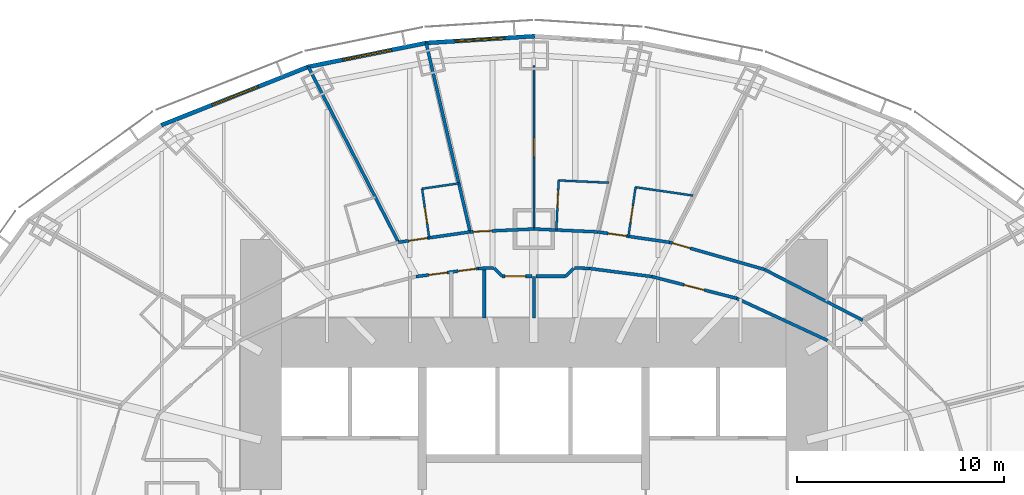
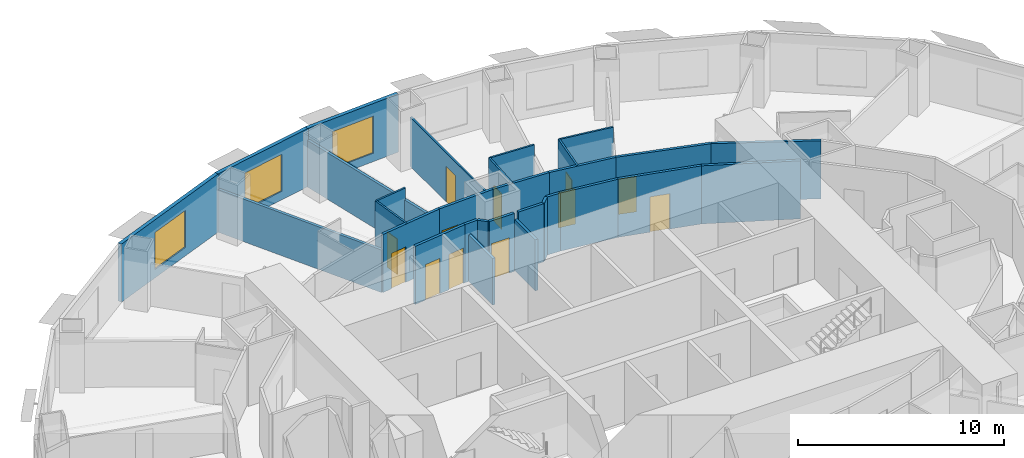
# One storey, part 9 of 15: 30 walls, 12 doors, 3 windows, 15 openings.
"""IFC4 building model written with IfcOpenShell, lengths in metres."""

from ifc_helpers import new_model, si_unit, direction, frame, frame_2d, origin, place, context, subcontext, project, spatial, rectangle, extrude, material, layer, layer_set, type_object, element, fill, save


model = new_model("IFC4")

# Units and contexts
model_context = context("Model", 3, precision=1e-05, world=origin(), true_north=direction((0.0, 1.0)))
body_context = subcontext(model_context, "Body", "Model", "MODEL_VIEW")
ifc_project = project(units=[si_unit("LENGTHUNIT", "METRE"), si_unit("AREAUNIT", "SQUARE_METRE"), si_unit("VOLUMEUNIT", "CUBIC_METRE"), si_unit("PLANEANGLEUNIT", "RADIAN"), si_unit("MASSUNIT", "GRAM", prefix="KILO")], contexts=[model_context])

# Site, building, storey
site_placement = place(None, origin())
site = spatial("IfcSite", under=ifc_project, at=site_placement, CompositionType="ELEMENT")
building_placement = place(site_placement, origin())
building = spatial("IfcBuilding", under=site, at=building_placement, Name="Lantaw Convention Tower", CompositionType="ELEMENT")
storey_placement = place(building_placement, frame((0.0, 0.0, 55.0)))
storey = spatial("IfcBuildingStorey", under=building, at=storey_placement, Name="L11", CompositionType="ELEMENT", Elevation=55.0)

# Wall
ifc_material_1 = material(Name="Gypsum board on steel studs", Category="steel")
ifc_layer_1 = layer(ifc_material_1, 0.14990234375)
ifc_layer_set_1 = layer_set([ifc_layer_1], Name="Back of house wall 150")
wall_type_1 = type_object("IfcWallType", Name="Back of house wall 150", PredefinedType="PARTITIONING", material=ifc_layer_set_1)
wall_1_placement = place(storey_placement, frame((0.0, 9.199951171875, 0.0), z_axis=(0.0, 0.0, 1.0), x_axis=(0.0, 1.0, 0.0)))
element("IfcWall", 1, at=wall_1_placement, inside=storey, type_object=wall_type_1, Name="Back of house wall 150", PredefinedType="PARTITIONING", context=body_context, shape_type="SweptSolid", body=[
    extrude(rectangle(XDim=2.005126953125, YDim=0.14990234375, at=frame_2d((1.00244140625, 0.0))), origin(), (0.0, 0.0, 1.0), 3.043701171875),
])

# Wall, opening, door
ifc_material_2 = material(Name="Moisture resistant gypsum board on steel studs", Category="steel")
ifc_layer_2 = layer(ifc_material_2, 0.10009765625)
ifc_layer_set_2 = layer_set([ifc_layer_2], Name="Bathroom wall 100")
wall_type_2 = type_object("IfcWallType", Name="Bathroom wall 100", PredefinedType="PARTITIONING", material=ifc_layer_set_2)
wall_2_placement = place(storey_placement, frame((4.572021484375, 13.144775390625, 0.0), z_axis=(0.0, 0.0, 1.0), x_axis=(0.143429072319, 0.989660599, 0.0)))
wall_2 = element("IfcWall", 2, at=wall_2_placement, inside=storey, type_object=wall_type_2, Name="Bathroom wall 100", PredefinedType="PARTITIONING", context=body_context, shape_type="SweptSolid", body=[
    extrude(rectangle(XDim=2.400146484375, YDim=0.10009765625, at=frame_2d((1.2001953125, 0.0))), origin(), (0.0, 0.0, 1.0), 3.449951171875),
])
opening_1_placement = place(wall_2_placement, frame((0.699951171875, 0.0, 0.0)))
opening_1 = element("IfcOpeningElement", 3, at=opening_1_placement, cuts=wall_2, Name="Opening L11.33", PredefinedType="OPENING", context=body_context, shape_type="SweptSolid", body=[
    extrude(rectangle(XDim=0.800048828125, YDim=2.10009765625, at=frame_2d((0.39990234375, 1.050048828125))), frame((0.0, 0.06005859375, 0.0), z_axis=(0.0, -1.0, 0.0), x_axis=(1.0, 0.0, 0.0)), (0.0, 0.0, 1.0), 0.1201171875),
])
ifc_material_3 = material(Name="Timber", Category="wood")
door_type_1 = type_object("IfcDoorType", Name="Bathroom door 800", OperationType="SINGLE_SWING_LEFT", PredefinedType="DOOR", material=ifc_material_3)
door_1_placement = place(opening_1_placement, origin())
door_1 = element("IfcDoor", 4, at=door_1_placement, inside=storey, type_object=door_type_1, Name="Bathroom door", OperationType="SINGLE_SWING_LEFT", OverallHeight=2.10009765625, OverallWidth=0.800048828125, PredefinedType="DOOR", context=body_context, shape_type="SweptSolid", body=[
    extrude(rectangle(XDim=0.800048828125, YDim=2.10009765625, at=frame_2d((0.39990234375, 1.050048828125))), frame((0.0, 0.02490234375, 0.0), z_axis=(0.0, -1.0, 0.0), x_axis=(1.0, 0.0, 0.0)), (0.0, 0.0, 1.0), 0.050048828125),
])
fill(opening_1, door_1)

# Wall
wall_3_placement = place(storey_placement, frame((4.916259765625, 15.52001953125, 0.0), z_axis=(0.0, 0.0, 1.0), x_axis=(0.989657744136, -0.143448769503, 0.0)))
element("IfcWall", 5, at=wall_3_placement, inside=storey, type_object=wall_type_2, Name="Bathroom wall 100", PredefinedType="PARTITIONING", context=body_context, shape_type="SweptSolid", body=[
    extrude(rectangle(XDim=2.81494140625, YDim=0.10009765625, at=frame_2d((1.407470703125, 0.0))), origin(), (0.0, 0.0, 1.0), 3.449951171875),
])

# Wall, opening, door
wall_4_placement = place(storey_placement, frame((1.08642578125, 13.450927734375, 0.0), z_axis=(0.0, 0.0, 1.0), x_axis=(0.045269225691, 0.998974823109, 0.0)))
wall_4 = element("IfcWall", 6, at=wall_4_placement, inside=storey, type_object=wall_type_2, Name="Bathroom wall 100", PredefinedType="PARTITIONING", context=body_context, shape_type="SweptSolid", body=[
    extrude(rectangle(XDim=2.39990234375, YDim=0.10009765625, at=frame_2d((1.199951171875, 0.0))), origin(), (0.0, 0.0, 1.0), 3.449951171875),
])
opening_2_placement = place(wall_4_placement, frame((1.10009765625, 0.0, 0.0)))
opening_2 = element("IfcOpeningElement", 7, at=opening_2_placement, cuts=wall_4, Name="Opening L11.35", PredefinedType="OPENING", context=body_context, shape_type="SweptSolid", body=[
    extrude(rectangle(XDim=0.800048828125, YDim=2.10009765625, at=frame_2d((0.39990234375, 1.050048828125))), frame((0.0, 0.06005859375, 0.0), z_axis=(0.0, -1.0, 0.0), x_axis=(1.0, 0.0, 0.0)), (0.0, 0.0, 1.0), 0.1201171875),
])
door_2_placement = place(opening_2_placement, origin())
door_2 = element("IfcDoor", 8, at=door_2_placement, inside=storey, type_object=door_type_1, Name="Bathroom door", OperationType="SINGLE_SWING_LEFT", OverallHeight=2.10009765625, OverallWidth=0.800048828125, PredefinedType="DOOR", context=body_context, shape_type="SweptSolid", body=[
    extrude(rectangle(XDim=0.800048828125, YDim=2.10009765625, at=frame_2d((0.39990234375, 1.050048828125))), frame((0.0, 0.02490234375, 0.0), z_axis=(0.0, -1.0, 0.0), x_axis=(1.0, 0.0, 0.0)), (0.0, 0.0, 1.0), 0.050048828125),
])
fill(opening_2, door_2)

# Wall
wall_5_placement = place(storey_placement, frame((1.195068359375, 15.848388671875, 0.0), z_axis=(0.0, 0.0, 1.0), x_axis=(0.998977389599, -0.045212554331, 0.0)))
element("IfcWall", 9, at=wall_5_placement, inside=storey, type_object=wall_type_2, Name="Bathroom wall 100", PredefinedType="PARTITIONING", context=body_context, shape_type="SweptSolid", body=[
    extrude(rectangle(XDim=2.440673828125, YDim=0.10009765625, at=frame_2d((1.22021484375, 0.0))), origin(), (0.0, 0.0, 1.0), 3.449951171875),
])

# Wall, opening, door
wall_6_placement = place(storey_placement, frame((-5.063720703125, 13.073486328125, 0.0), z_axis=(0.0, 0.0, 1.0), x_axis=(-0.143429072319, 0.989660599, 0.0)))
wall_6 = element("IfcWall", 10, at=wall_6_placement, inside=storey, type_object=wall_type_2, Name="Bathroom wall 100", PredefinedType="PARTITIONING", context=body_context, shape_type="SweptSolid", body=[
    extrude(rectangle(XDim=2.400146484375, YDim=0.10009765625, at=frame_2d((1.2001953125, 0.0))), origin(), (0.0, 0.0, 1.0), 3.449951171875),
])
opening_3_placement = place(wall_6_placement, frame((0.699951171875, 0.0, 0.0)))
opening_3 = element("IfcOpeningElement", 11, at=opening_3_placement, cuts=wall_6, Name="Opening L11.38", PredefinedType="OPENING", context=body_context, shape_type="SweptSolid", body=[
    extrude(rectangle(XDim=0.800048828125, YDim=2.10009765625, at=frame_2d((0.39990234375, 1.050048828125))), frame((0.0, 0.06005859375, 0.0), z_axis=(0.0, -1.0, 0.0), x_axis=(1.0, 0.0, 0.0)), (0.0, 0.0, 1.0), 0.1201171875),
])
door_3_placement = place(opening_3_placement, origin())
door_3 = element("IfcDoor", 12, at=door_3_placement, inside=storey, type_object=door_type_1, Name="Bathroom door", OperationType="SINGLE_SWING_LEFT", OverallHeight=2.10009765625, OverallWidth=0.800048828125, PredefinedType="DOOR", context=body_context, shape_type="SweptSolid", body=[
    extrude(rectangle(XDim=0.800048828125, YDim=2.10009765625, at=frame_2d((0.39990234375, 1.050048828125))), frame((0.0, 0.02490234375, 0.0), z_axis=(0.0, -1.0, 0.0), x_axis=(1.0, 0.0, 0.0)), (0.0, 0.0, 1.0), 0.050048828125),
])
fill(opening_3, door_3)

# Walls
wall_7_placement = place(storey_placement, frame((-5.407958984375, 15.44873046875, 0.0), z_axis=(0.0, 0.0, 1.0), x_axis=(0.989654460802, 0.143471419502, 0.0)))
element("IfcWall", 13, at=wall_7_placement, inside=storey, type_object=wall_type_2, Name="Bathroom wall 100", PredefinedType="PARTITIONING", context=body_context, shape_type="SweptSolid", body=[
    extrude(rectangle(XDim=1.80029296875, YDim=0.10009765625, at=frame_2d((0.900146484375, 0.0))), origin(), (0.0, 0.0, 1.0), 3.449951171875),
])
ifc_material_4 = material(Name="Gypsum board on steel studs, fire rated", Category="steel")
ifc_layer_3 = layer(ifc_material_4, 0.14990234375)
ifc_layer_set_3 = layer_set([ifc_layer_3], Name="Corridor wall 150 EI 60")
wall_type_3 = type_object("IfcWallType", Name="Corridor wall 150 EI 60", PredefinedType="PARTITIONING", material=ifc_layer_set_3)
wall_8_placement = place(storey_placement, frame((15.901123046875, 9.08642578125, 0.0), z_axis=(0.0, 0.0, 1.0), x_axis=(-0.888333171507, 0.459199495209, 0.0)))
element("IfcWall", 14, at=wall_8_placement, inside=storey, type_object=wall_type_3, Name="Corridor wall 150", PredefinedType="PARTITIONING", context=body_context, shape_type="SweptSolid", body=[
    extrude(rectangle(XDim=5.351318359375, YDim=0.14990234375, at=frame_2d((2.67578125, 0.0))), origin(), (0.0, 0.0, 1.0), 3.449951171875),
])

# Wall, opening, door
wall_9_placement = place(storey_placement, frame((11.1474609375, 11.543701171875, 0.0), z_axis=(0.0, 0.0, 1.0), x_axis=(-0.961464178199, 0.27493023486, 0.0)))
wall_9 = element("IfcWall", 15, at=wall_9_placement, inside=storey, type_object=wall_type_3, Name="Corridor wall 150", PredefinedType="PARTITIONING", context=body_context, shape_type="SweptSolid", body=[
    extrude(rectangle(XDim=4.7802734375, YDim=0.14990234375, at=frame_2d((2.39013671875, 0.0))), origin(), (0.0, 0.0, 1.0), 3.449951171875),
])
opening_4_placement = place(wall_9_placement, frame((3.730224609375, 0.0, 0.0)))
opening_4 = element("IfcOpeningElement", 16, at=opening_4_placement, cuts=wall_9, Name="Opening L11.32", PredefinedType="OPENING", context=body_context, shape_type="SweptSolid", body=[
    extrude(rectangle(XDim=0.89990234375, YDim=2.10009765625, at=frame_2d((0.449951171875, 1.050048828125))), frame((0.0, 0.0849609375, 0.0), z_axis=(0.0, -1.0, 0.0), x_axis=(1.0, 0.0, 0.0)), (0.0, 0.0, 1.0), 0.169921875),
])
ifc_material_5 = material(Name="Steel, fire rated", Category="steel")
door_type_2 = type_object("IfcDoorType", Name="Guest room entrance door FD30S", OperationType="SINGLE_SWING_LEFT", PredefinedType="DOOR", material=ifc_material_5)
door_4_placement = place(opening_4_placement, origin())
door_4 = element("IfcDoor", 17, at=door_4_placement, inside=storey, type_object=door_type_2, Name="Suite entrance door", OperationType="SINGLE_SWING_LEFT", OverallHeight=2.10009765625, OverallWidth=0.89990234375, PredefinedType="DOOR", context=body_context, shape_type="SweptSolid", body=[
    extrude(rectangle(XDim=0.89990234375, YDim=2.10009765625, at=frame_2d((0.449951171875, 1.050048828125))), frame((0.0, 0.02490234375, 0.0), z_axis=(0.0, -1.0, 0.0), x_axis=(1.0, 0.0, 0.0)), (0.0, 0.0, 1.0), 0.050048828125),
])
fill(opening_4, door_4)

wall_10_placement = place(storey_placement, frame((6.551513671875, 12.85791015625, 0.0), z_axis=(0.0, 0.0, 1.0), x_axis=(-0.989661745886, 0.143421158583, 0.0)))
wall_10 = element("IfcWall", 18, at=wall_10_placement, inside=storey, type_object=wall_type_3, Name="Corridor wall 150", PredefinedType="PARTITIONING", context=body_context, shape_type="SweptSolid", body=[
    extrude(rectangle(XDim=3.503173828125, YDim=0.14990234375, at=frame_2d((1.75146484375, 0.0))), origin(), (0.0, 0.0, 1.0), 3.449951171875),
])
opening_5_placement = place(wall_10_placement, frame((2.10009765625, 0.0, 0.0)))
opening_5 = element("IfcOpeningElement", 19, at=opening_5_placement, cuts=wall_10, Name="Opening L11.34", PredefinedType="OPENING", context=body_context, shape_type="SweptSolid", body=[
    extrude(rectangle(XDim=0.89990234375, YDim=2.10009765625, at=frame_2d((0.449951171875, 1.050048828125))), frame((0.0, 0.0849609375, 0.0), z_axis=(0.0, -1.0, 0.0), x_axis=(1.0, 0.0, 0.0)), (0.0, 0.0, 1.0), 0.169921875),
])
door_5_placement = place(opening_5_placement, origin())
door_5 = element("IfcDoor", 20, at=door_5_placement, inside=storey, type_object=door_type_2, Name="Guest room entrance door", OperationType="SINGLE_SWING_LEFT", OverallHeight=2.10009765625, OverallWidth=0.89990234375, PredefinedType="DOOR", context=body_context, shape_type="SweptSolid", body=[
    extrude(rectangle(XDim=0.89990234375, YDim=2.10009765625, at=frame_2d((0.449951171875, 1.050048828125))), frame((0.0, 0.02490234375, 0.0), z_axis=(0.0, -1.0, 0.0), x_axis=(1.0, 0.0, 0.0)), (0.0, 0.0, 1.0), 0.050048828125),
])
fill(opening_5, door_5)

# Wall
wall_11_placement = place(storey_placement, frame((3.08447265625, 13.3603515625, 0.0), z_axis=(0.0, 0.0, 1.0), x_axis=(-0.998976675711, 0.045228325036, 0.0)))
element("IfcWall", 21, at=wall_11_placement, inside=storey, type_object=wall_type_3, Name="Corridor wall 150", PredefinedType="PARTITIONING", context=body_context, shape_type="SweptSolid", body=[
    extrude(rectangle(XDim=3.087646484375, YDim=0.14990234375, at=frame_2d((1.5439453125, 0.0))), origin(), (0.0, 0.0, 1.0), 3.449951171875),
])

# Wall, opening, door
wall_12_placement = place(storey_placement, frame((0.0, 13.5, 0.0), z_axis=(0.0, 0.0, 1.0), x_axis=(-0.998976675711, -0.045228325036, 0.0)))
wall_12 = element("IfcWall", 22, at=wall_12_placement, inside=storey, type_object=wall_type_3, Name="Corridor wall 150", PredefinedType="PARTITIONING", context=body_context, shape_type="SweptSolid", body=[
    extrude(rectangle(XDim=3.087646484375, YDim=0.14990234375, at=frame_2d((1.5439453125, 0.0))), origin(), (0.0, 0.0, 1.0), 3.449951171875),
])
opening_6_placement = place(wall_12_placement, frame((2.03759765625, 0.0, 0.0)))
opening_6 = element("IfcOpeningElement", 23, at=opening_6_placement, cuts=wall_12, Name="Opening L11.37", PredefinedType="OPENING", context=body_context, shape_type="SweptSolid", body=[
    extrude(rectangle(XDim=0.89990234375, YDim=2.10009765625, at=frame_2d((0.449951171875, 1.050048828125))), frame((0.0, 0.0849609375, 0.0), z_axis=(0.0, -1.0, 0.0), x_axis=(1.0, 0.0, 0.0)), (0.0, 0.0, 1.0), 0.169921875),
])
door_6_placement = place(opening_6_placement, origin())
door_6 = element("IfcDoor", 24, at=door_6_placement, inside=storey, type_object=door_type_2, Name="Suite entrance door", OperationType="SINGLE_SWING_LEFT", OverallHeight=2.10009765625, OverallWidth=0.89990234375, PredefinedType="DOOR", context=body_context, shape_type="SweptSolid", body=[
    extrude(rectangle(XDim=0.89990234375, YDim=2.10009765625, at=frame_2d((0.449951171875, 1.050048828125))), frame((0.0, 0.02490234375, 0.0), z_axis=(0.0, -1.0, 0.0), x_axis=(1.0, 0.0, 0.0)), (0.0, 0.0, 1.0), 0.050048828125),
])
fill(opening_6, door_6)

wall_13_placement = place(storey_placement, frame((-3.08447265625, 13.3603515625, 0.0), z_axis=(0.0, 0.0, 1.0), x_axis=(-0.989661745886, -0.143421158583, 0.0)))
wall_13 = element("IfcWall", 25, at=wall_13_placement, inside=storey, type_object=wall_type_3, Name="Corridor wall 150", PredefinedType="PARTITIONING", context=body_context, shape_type="SweptSolid", body=[
    extrude(rectangle(XDim=3.503173828125, YDim=0.14990234375, at=frame_2d((1.75146484375, 0.0))), origin(), (0.0, 0.0, 1.0), 3.449951171875),
])
opening_7_placement = place(wall_13_placement, frame((2.10009765625, 0.0, 0.0)))
opening_7 = element("IfcOpeningElement", 26, at=opening_7_placement, cuts=wall_13, Name="Opening L11.39", PredefinedType="OPENING", context=body_context, shape_type="SweptSolid", body=[
    extrude(rectangle(XDim=0.89990234375, YDim=2.10009765625, at=frame_2d((0.449951171875, 1.050048828125))), frame((0.0, 0.0849609375, 0.0), z_axis=(0.0, -1.0, 0.0), x_axis=(1.0, 0.0, 0.0)), (0.0, 0.0, 1.0), 0.169921875),
])
door_7_placement = place(opening_7_placement, origin())
door_7 = element("IfcDoor", 27, at=door_7_placement, inside=storey, type_object=door_type_2, Name="Guest room entrance door", OperationType="SINGLE_SWING_LEFT", OverallHeight=2.10009765625, OverallWidth=0.89990234375, PredefinedType="DOOR", context=body_context, shape_type="SweptSolid", body=[
    extrude(rectangle(XDim=0.89990234375, YDim=2.10009765625, at=frame_2d((0.449951171875, 1.050048828125))), frame((0.0, 0.02490234375, 0.0), z_axis=(0.0, -1.0, 0.0), x_axis=(1.0, 0.0, 0.0)), (0.0, 0.0, 1.0), 0.050048828125),
])
fill(opening_7, door_7)

# Wall
wall_14_placement = place(storey_placement, frame((14.196044921875, 8.112060546875, 0.0), z_axis=(0.0, 0.0, 1.0), x_axis=(-0.907279653965, 0.420527798727, 0.0)))
element("IfcWall", 28, at=wall_14_placement, inside=storey, type_object=wall_type_3, Name="Corridor wall 150", PredefinedType="PARTITIONING", context=body_context, shape_type="SweptSolid", body=[
    extrude(rectangle(XDim=4.84423828125, YDim=0.14990234375, at=frame_2d((2.422119140625, 0.0))), origin(), (0.0, 0.0, 1.0), 3.449951171875),
])

# Wall, opening, door
wall_15_placement = place(storey_placement, frame((9.801025390625, 10.149169921875, 0.0), z_axis=(0.0, 0.0, 1.0), x_axis=(-0.968705891355, 0.248211393886, 0.0)))
wall_15 = element("IfcWall", 29, at=wall_15_placement, inside=storey, type_object=wall_type_3, Name="Corridor wall 150", PredefinedType="PARTITIONING", context=body_context, shape_type="SweptSolid", body=[
    extrude(rectangle(XDim=4.2275390625, YDim=0.14990234375, at=frame_2d((2.11376953125, 0.0))), origin(), (0.0, 0.0, 1.0), 3.449951171875),
])
opening_8_placement = place(wall_15_placement, frame((1.61376953125, 0.0, 0.0)))
opening_8 = element("IfcOpeningElement", 30, at=opening_8_placement, cuts=wall_15, Name="Opening L11.17", PredefinedType="OPENING", context=body_context, shape_type="SweptSolid", body=[
    extrude(rectangle(XDim=1.0, YDim=2.10009765625, at=frame_2d((0.5, 1.050048828125))), frame((0.0, 0.0849609375, 0.0), z_axis=(0.0, -1.0, 0.0), x_axis=(1.0, 0.0, 0.0)), (0.0, 0.0, 1.0), 0.169921875),
])
door_type_3 = type_object("IfcDoorType", Name="Service door 1000 FD30", OperationType="SINGLE_SWING_LEFT", PredefinedType="DOOR", material=ifc_material_5)
door_8_placement = place(opening_8_placement, origin())
door_8 = element("IfcDoor", 31, at=door_8_placement, inside=storey, type_object=door_type_3, Name="Linen store door", OperationType="SINGLE_SWING_LEFT", OverallHeight=2.10009765625, OverallWidth=1.0, PredefinedType="DOOR", context=body_context, shape_type="SweptSolid", body=[
    extrude(rectangle(XDim=1.0, YDim=2.10009765625, at=frame_2d((0.5, 1.050048828125))), frame((0.0, 0.02490234375, 0.0), z_axis=(0.0, -1.0, 0.0), x_axis=(1.0, 0.0, 0.0)), (0.0, 0.0, 1.0), 0.050048828125),
])
fill(opening_8, door_8)

# Wall
wall_16_placement = place(storey_placement, frame((5.705810546875, 11.198486328125, 0.0), z_axis=(0.0, 0.0, 1.0), x_axis=(-0.99168929531, 0.128655903743, 0.0)))
element("IfcWall", 32, at=wall_16_placement, inside=storey, type_object=wall_type_3, Name="Corridor wall 150", PredefinedType="PARTITIONING", context=body_context, shape_type="SweptSolid", body=[
    extrude(rectangle(XDim=3.05517578125, YDim=0.14990234375, at=frame_2d((1.527587890625, 0.0))), origin(), (0.0, 0.0, 1.0), 3.449951171875),
])

# Wall, openings, doors
wall_17_placement = place(storey_placement, frame((-2.676025390625, 11.591552734375, 0.0), z_axis=(0.0, 0.0, 1.0), x_axis=(-0.99168929531, -0.128655903743, 0.0)))
wall_17 = element("IfcWall", 33, at=wall_17_placement, inside=storey, type_object=wall_type_3, Name="Corridor wall 150", PredefinedType="PARTITIONING", context=body_context, shape_type="SweptSolid", body=[
    extrude(rectangle(XDim=3.05517578125, YDim=0.14990234375, at=frame_2d((1.527587890625, 0.0))), origin(), (0.0, 0.0, 1.0), 3.449951171875),
])
opening_9_placement = place(wall_17_placement, frame((0.10009765625, 0.0, 0.0)))
opening_9 = element("IfcOpeningElement", 34, at=opening_9_placement, cuts=wall_17, Name="Opening L11.20", PredefinedType="OPENING", context=body_context, shape_type="SweptSolid", body=[
    extrude(rectangle(XDim=0.89990234375, YDim=2.10009765625, at=frame_2d((0.449951171875, 1.050048828125))), frame((0.0, 0.0849609375, 0.0), z_axis=(0.0, -1.0, 0.0), x_axis=(1.0, 0.0, 0.0)), (0.0, 0.0, 1.0), 0.169921875),
])
opening_10_placement = place(wall_17_placement, frame((1.535888671875, 0.0, 0.0)))
opening_10 = element("IfcOpeningElement", 35, at=opening_10_placement, cuts=wall_17, Name="Opening L11.21", PredefinedType="OPENING", context=body_context, shape_type="SweptSolid", body=[
    extrude(rectangle(XDim=0.89990234375, YDim=2.10009765625, at=frame_2d((0.449951171875, 1.050048828125))), frame((0.0, 0.0849609375, 0.0), z_axis=(0.0, -1.0, 0.0), x_axis=(1.0, 0.0, 0.0)), (0.0, 0.0, 1.0), 0.169921875),
])
door_type_4 = type_object("IfcDoorType", Name="Service door 900 FD30", OperationType="SINGLE_SWING_LEFT", PredefinedType="DOOR", material=ifc_material_5)
door_9_placement = place(opening_10_placement, origin())
door_9 = element("IfcDoor", 36, at=door_9_placement, inside=storey, type_object=door_type_4, Name="Housekeeping pantry door", OperationType="SINGLE_SWING_LEFT", OverallHeight=2.10009765625, OverallWidth=0.89990234375, PredefinedType="DOOR", context=body_context, shape_type="SweptSolid", body=[
    extrude(rectangle(XDim=0.89990234375, YDim=2.10009765625, at=frame_2d((0.449951171875, 1.050048828125))), frame((0.0, 0.02490234375, 0.0), z_axis=(0.0, -1.0, 0.0), x_axis=(1.0, 0.0, 0.0)), (0.0, 0.0, 1.0), 0.050048828125),
])
fill(opening_10, door_9)
door_type_5 = type_object("IfcDoorType", Name="WC door 900 FD30", OperationType="SINGLE_SWING_LEFT", PredefinedType="DOOR", material=ifc_material_5)
door_10_placement = place(opening_9_placement, origin())
door_10 = element("IfcDoor", 37, at=door_10_placement, inside=storey, type_object=door_type_5, Name="Staff WC door", OperationType="SINGLE_SWING_LEFT", OverallHeight=2.10009765625, OverallWidth=0.89990234375, PredefinedType="DOOR", context=body_context, shape_type="SweptSolid", body=[
    extrude(rectangle(XDim=0.89990234375, YDim=2.10009765625, at=frame_2d((0.449951171875, 1.050048828125))), frame((0.0, 0.02490234375, 0.0), z_axis=(0.0, -1.0, 0.0), x_axis=(1.0, 0.0, 0.0)), (0.0, 0.0, 1.0), 0.050048828125),
])
fill(opening_9, door_10)

# Walls
for number, where, z_axis, x_axis, name in (
    (38, (2.676025390625, 11.591552734375, 0.0), (0.0, 0.0, 1.0), (-0.999181454908, 0.040452690482, 0.0), "Corridor wall 150"),
    (39, (-1.952392578125, 11.620849609375, 0.0), (0.0, 0.0, 1.0), (-0.999181454908, -0.040452690482, 0.0), "Corridor wall 150"),
):
    element("IfcWall", number, at=place(storey_placement, frame(where, z_axis=z_axis, x_axis=x_axis)), inside=storey, type_object=wall_type_3, Name=name, PredefinedType="PARTITIONING", context=body_context, shape_type="SweptSolid", body=[
        extrude(rectangle(XDim=0.72412109375, YDim=0.14990234375, at=frame_2d((0.362060546875, 0.0))), origin(), (0.0, 0.0, 1.0), 3.449951171875),
    ])
wall_18_placement = place(storey_placement, frame((1.921630859375, 11.604248046875, 0.0), z_axis=(0.0, 0.0, 1.0), x_axis=(-0.707328479487, -0.706885013356, 0.0)))
element("IfcWall", 40, at=wall_18_placement, inside=storey, type_object=wall_type_3, Name="Corridor wall 150", PredefinedType="PARTITIONING", context=body_context, shape_type="SweptSolid", body=[
    extrude(rectangle(XDim=0.550537109375, YDim=0.14990234375, at=frame_2d((0.275390625, 0.0))), origin(), (0.0, 0.0, 1.0), 3.449951171875),
])
wall_19_placement = place(storey_placement, frame((1.5322265625, 11.215087890625, 0.0), z_axis=(0.0, 0.0, 1.0), x_axis=(-1.0, 0.0, 0.0)))
element("IfcWall", 41, at=wall_19_placement, inside=storey, type_object=wall_type_3, Name="Corridor wall 150", PredefinedType="PARTITIONING", context=body_context, shape_type="SweptSolid", body=[
    extrude(rectangle(XDim=1.428955078125, YDim=0.14990234375, at=frame_2d((0.71435546875, 0.0))), origin(), (0.0, 0.0, 1.0), 3.449951171875),
])

# Wall, opening, door
wall_20_placement = place(storey_placement, frame((-0.103271484375, 11.215087890625, 0.0), z_axis=(0.0, 0.0, 1.0), x_axis=(-1.0, 0.0, 0.0)))
wall_20 = element("IfcWall", 42, at=wall_20_placement, inside=storey, type_object=wall_type_3, Name="Corridor wall 150", PredefinedType="PARTITIONING", context=body_context, shape_type="SweptSolid", body=[
    extrude(rectangle(XDim=1.428955078125, YDim=0.14990234375, at=frame_2d((0.71435546875, 0.0))), origin(), (0.0, 0.0, 1.0), 3.449951171875),
])
opening_11_placement = place(wall_20_placement, frame((0.300048828125, 0.0, 0.0)))
opening_11 = element("IfcOpeningElement", 43, at=opening_11_placement, cuts=wall_20, Name="Opening L11.19", PredefinedType="OPENING", context=body_context, shape_type="SweptSolid", body=[
    extrude(rectangle(XDim=1.0, YDim=2.10009765625, at=frame_2d((0.5, 1.050048828125))), frame((0.0, 0.0849609375, 0.0), z_axis=(0.0, -1.0, 0.0), x_axis=(1.0, 0.0, 0.0)), (0.0, 0.0, 1.0), 0.169921875),
])
door_type_6 = type_object("IfcDoorType", Name="Accessible WC door 1000 FD30", OperationType="SINGLE_SWING_LEFT", PredefinedType="DOOR", material=ifc_material_5)
door_11_placement = place(opening_11_placement, origin())
door_11 = element("IfcDoor", 44, at=door_11_placement, inside=storey, type_object=door_type_6, Name="Accessible WC door", OperationType="SINGLE_SWING_LEFT", OverallHeight=2.10009765625, OverallWidth=1.0, PredefinedType="DOOR", context=body_context, shape_type="SweptSolid", body=[
    extrude(rectangle(XDim=1.0, YDim=2.10009765625, at=frame_2d((0.5, 1.050048828125))), frame((0.0, 0.02490234375, 0.0), z_axis=(0.0, -1.0, 0.0), x_axis=(1.0, 0.0, 0.0)), (0.0, 0.0, 1.0), 0.050048828125),
])
fill(opening_11, door_11)

# Wall
wall_21_placement = place(storey_placement, frame((-1.5322265625, 11.215087890625, 0.0), z_axis=(0.0, 0.0, 1.0), x_axis=(-0.707328479487, 0.706885013356, 0.0)))
element("IfcWall", 45, at=wall_21_placement, inside=storey, type_object=wall_type_3, Name="Corridor wall 150", PredefinedType="PARTITIONING", context=body_context, shape_type="SweptSolid", body=[
    extrude(rectangle(XDim=0.550537109375, YDim=0.14990234375, at=frame_2d((0.275390625, 0.0))), origin(), (0.0, 0.0, 1.0), 3.449951171875),
])

# Wall, opening, window
ifc_material_6 = material(Name="Insulated aluminium panel on steel frame", Category="steel")
ifc_layer_4 = layer(ifc_material_6, 0.199951171875)
ifc_layer_set_4 = layer_set([ifc_layer_4], Name="External wall 200")
wall_type_4 = type_object("IfcWallType", Name="External wall 200", PredefinedType="SOLIDWALL", material=ifc_layer_set_4)
wall_22_placement = place(storey_placement, frame((0.041015625, 22.8271484375, 0.0), z_axis=(0.0, 0.0, 1.0), x_axis=(-0.998018582375, -0.062919863585, 0.0)))
wall_22 = element("IfcWall", 46, at=wall_22_placement, inside=storey, type_object=wall_type_4, Name="Facade panel wall", PredefinedType="SOLIDWALL", context=body_context, shape_type="SweptSolid", body=[
    extrude(rectangle(XDim=5.30419921875, YDim=0.199951171875, at=frame_2d((2.652099609375, 0.0))), origin(), (0.0, 0.0, 1.0), 3.449951171875),
])
opening_12_placement = place(wall_22_placement, frame((1.4521484375, 0.0, 0.5)))
opening_12 = element("IfcOpeningElement", 47, at=opening_12_placement, cuts=wall_22, Name="Opening W1", PredefinedType="OPENING", context=body_context, shape_type="SweptSolid", body=[
    extrude(rectangle(XDim=2.39990234375, YDim=2.199951171875, at=frame_2d((1.199951171875, 1.10009765625))), frame((0.0, 0.10986328125, 0.0), z_axis=(0.0, -1.0, 0.0), x_axis=(1.0, 0.0, 0.0)), (0.0, 0.0, 1.0), 0.219970703125),
])
ifc_material_7 = material(Name="Aluminium frame, clear insulating glass", Category="aluminium")
window_type = type_object("IfcWindowType", Name="Guest room window 2400x2200", PartitioningType="SINGLE_PANEL", PredefinedType="WINDOW", material=ifc_material_7)
window_1_placement = place(opening_12_placement, origin())
window_1 = element("IfcWindow", 48, at=window_1_placement, inside=storey, type_object=window_type, Name="Guest room window", OverallHeight=2.199951171875, OverallWidth=2.39990234375, PartitioningType="SINGLE_PANEL", PredefinedType="WINDOW", context=body_context, shape_type="SweptSolid", body=[
    extrude(rectangle(XDim=2.39990234375, YDim=2.199951171875, at=frame_2d((1.199951171875, 1.10009765625))), frame((0.0, 0.030029296875, 0.0), z_axis=(0.0, -1.0, 0.0), x_axis=(1.0, 0.0, 0.0)), (0.0, 0.0, 1.0), 0.06005859375),
])
fill(opening_12, window_1)

wall_23_placement = place(storey_placement, frame((-5.169677734375, 22.504150390625, 0.0), z_axis=(0.0, 0.0, 1.0), x_axis=(-0.980251657452, -0.197754110105, 0.0)))
wall_23 = element("IfcWall", 49, at=wall_23_placement, inside=storey, type_object=wall_type_4, Name="Facade panel wall", PredefinedType="SOLIDWALL", context=body_context, shape_type="SweptSolid", body=[
    extrude(rectangle(XDim=5.90380859375, YDim=0.199951171875, at=frame_2d((2.951904296875, 0.0))), origin(), (0.0, 0.0, 1.0), 3.449951171875),
])
opening_13_placement = place(wall_23_placement, frame((1.751708984375, 0.0, 0.5)))
opening_13 = element("IfcOpeningElement", 50, at=opening_13_placement, cuts=wall_23, Name="Opening W1", PredefinedType="OPENING", context=body_context, shape_type="SweptSolid", body=[
    extrude(rectangle(XDim=2.39990234375, YDim=2.199951171875, at=frame_2d((1.199951171875, 1.10009765625))), frame((0.0, 0.10986328125, 0.0), z_axis=(0.0, -1.0, 0.0), x_axis=(1.0, 0.0, 0.0)), (0.0, 0.0, 1.0), 0.219970703125),
])
window_2_placement = place(opening_13_placement, origin())
window_2 = element("IfcWindow", 51, at=window_2_placement, inside=storey, type_object=window_type, Name="Guest room window", OverallHeight=2.199951171875, OverallWidth=2.39990234375, PartitioningType="SINGLE_PANEL", PredefinedType="WINDOW", context=body_context, shape_type="SweptSolid", body=[
    extrude(rectangle(XDim=2.39990234375, YDim=2.199951171875, at=frame_2d((1.199951171875, 1.10009765625))), frame((0.0, 0.030029296875, 0.0), z_axis=(0.0, -1.0, 0.0), x_axis=(1.0, 0.0, 0.0)), (0.0, 0.0, 1.0), 0.06005859375),
])
fill(opening_13, window_2)

wall_24_placement = place(storey_placement, frame((-10.869384765625, 21.362548828125, 0.0), z_axis=(0.0, 0.0, 1.0), x_axis=(-0.929358351251, -0.369178892895, 0.0)))
wall_24 = element("IfcWall", 52, at=wall_24_placement, inside=storey, type_object=wall_type_4, Name="Facade panel wall", PredefinedType="SOLIDWALL", context=body_context, shape_type="SweptSolid", body=[
    extrude(rectangle(XDim=7.6923828125, YDim=0.199951171875, at=frame_2d((3.84619140625, 0.0))), origin(), (0.0, 0.0, 1.0), 3.449951171875),
])
opening_14_placement = place(wall_24_placement, frame((2.64599609375, 0.0, 0.5)))
opening_14 = element("IfcOpeningElement", 53, at=opening_14_placement, cuts=wall_24, Name="Opening W1", PredefinedType="OPENING", context=body_context, shape_type="SweptSolid", body=[
    extrude(rectangle(XDim=2.39990234375, YDim=2.199951171875, at=frame_2d((1.199951171875, 1.10009765625))), frame((0.0, 0.10986328125, 0.0), z_axis=(0.0, -1.0, 0.0), x_axis=(1.0, 0.0, 0.0)), (0.0, 0.0, 1.0), 0.219970703125),
])
window_3_placement = place(opening_14_placement, origin())
window_3 = element("IfcWindow", 54, at=window_3_placement, inside=storey, type_object=window_type, Name="Guest room window", OverallHeight=2.199951171875, OverallWidth=2.39990234375, PartitioningType="SINGLE_PANEL", PredefinedType="WINDOW", context=body_context, shape_type="SweptSolid", body=[
    extrude(rectangle(XDim=2.39990234375, YDim=2.199951171875, at=frame_2d((1.199951171875, 1.10009765625))), frame((0.0, 0.030029296875, 0.0), z_axis=(0.0, -1.0, 0.0), x_axis=(1.0, 0.0, 0.0)), (0.0, 0.0, 1.0), 0.06005859375),
])
fill(opening_14, window_3)

# Walls
ifc_material_8 = material(Name="Gypsum board on steel studs, acoustic", Category="steel")
ifc_layer_5 = layer(ifc_material_8, 0.14990234375)
ifc_layer_set_5 = layer_set([ifc_layer_5], Name="Guest room party wall 150")
wall_type_5 = type_object("IfcWallType", Name="Guest room party wall 150", PredefinedType="PARTITIONING", material=ifc_layer_set_5)
wall_25_placement = place(storey_placement, frame((-5.2109375, 22.495849609375, 0.0), z_axis=(0.0, 0.0, 1.0), x_axis=(0.226708737679, -0.973962601058, 0.0)))
element("IfcWall", 55, at=wall_25_placement, inside=storey, type_object=wall_type_5, Name="Guest room party wall 150", PredefinedType="PARTITIONING", context=body_context, shape_type="SweptSolid", body=[
    extrude(rectangle(XDim=9.379638671875, YDim=0.14990234375, at=frame_2d((4.68994140625, 0.0))), origin(), (0.0, 0.0, 1.0), 2.766845703125),
])
wall_26_placement = place(storey_placement, frame((-10.911865234375, 21.345703125, 0.0), z_axis=(0.0, 0.0, 1.0), x_axis=(0.456950233066, -0.889492262193, 0.0)))
element("IfcWall", 56, at=wall_26_placement, inside=storey, type_object=wall_type_5, Name="Guest room party wall 150", PredefinedType="PARTITIONING", context=body_context, shape_type="SweptSolid", body=[
    extrude(rectangle(XDim=9.542236328125, YDim=0.14990234375, at=frame_2d((4.77099609375, 0.0))), origin(), (0.0, 0.0, 1.0), 2.528076171875),
])

# Wall, opening, door
ifc_layer_6 = layer(ifc_material_1, 0.10009765625)
ifc_layer_set_6 = layer_set([ifc_layer_6], Name="Suite partition 100")
wall_type_6 = type_object("IfcWallType", Name="Suite partition 100", PredefinedType="PARTITIONING", material=ifc_layer_set_6)
wall_27_placement = place(storey_placement, frame((0.0, 21.39990234375, 0.0), z_axis=(0.0, 0.0, 1.0), x_axis=(0.0, -1.0, 0.0)))
wall_27 = element("IfcWall", 57, at=wall_27_placement, inside=storey, type_object=wall_type_6, Name="Suite partition 100", PredefinedType="PARTITIONING", context=body_context, shape_type="SweptSolid", body=[
    extrude(rectangle(XDim=7.89990234375, YDim=0.10009765625, at=frame_2d((3.949951171875, 0.0))), origin(), (0.0, 0.0, 1.0), 2.92431640625),
])
opening_15_placement = place(wall_27_placement, frame((3.5, 0.0, 0.0)))
opening_15 = element("IfcOpeningElement", 58, at=opening_15_placement, cuts=wall_27, Name="Opening L11.36", PredefinedType="OPENING", context=body_context, shape_type="SweptSolid", body=[
    extrude(rectangle(XDim=0.89990234375, YDim=2.10009765625, at=frame_2d((0.449951171875, 1.050048828125))), frame((0.0, 0.06005859375, 0.0), z_axis=(0.0, -1.0, 0.0), x_axis=(1.0, 0.0, 0.0)), (0.0, 0.0, 1.0), 0.1201171875),
])
door_type_7 = type_object("IfcDoorType", Name="Suite door 900", OperationType="SINGLE_SWING_LEFT", PredefinedType="DOOR", material=ifc_material_3)
door_12_placement = place(opening_15_placement, origin())
door_12 = element("IfcDoor", 59, at=door_12_placement, inside=storey, type_object=door_type_7, Name="Bedroom door", OperationType="SINGLE_SWING_LEFT", OverallHeight=2.10009765625, OverallWidth=0.89990234375, PredefinedType="DOOR", context=body_context, shape_type="SweptSolid", body=[
    extrude(rectangle(XDim=0.89990234375, YDim=2.10009765625, at=frame_2d((0.449951171875, 1.050048828125))), frame((0.0, 0.02490234375, 0.0), z_axis=(0.0, -1.0, 0.0), x_axis=(1.0, 0.0, 0.0)), (0.0, 0.0, 1.0), 0.050048828125),
])
fill(opening_15, door_12)

# Wall
ifc_material_9 = material(Name="Concrete blockwork", Category="masonry")
ifc_layer_7 = layer(ifc_material_9, 0.14990234375)
ifc_layer_set_7 = layer_set([ifc_layer_7], Name="WC wall 150")
wall_type_7 = type_object("IfcWallType", Name="WC wall 150", PredefinedType="SOLIDWALL", material=ifc_layer_set_7)
wall_28_placement = place(storey_placement, frame((-2.39990234375, 9.199951171875, 0.0), z_axis=(0.0, 0.0, 1.0), x_axis=(0.0, 1.0, 0.0)))
element("IfcWall", 60, at=wall_28_placement, inside=storey, type_object=wall_type_7, Name="WC wall 150", PredefinedType="SOLIDWALL", context=body_context, shape_type="SweptSolid", body=[
    extrude(rectangle(XDim=2.40283203125, YDim=0.14990234375, at=frame_2d((1.201416015625, 0.0))), origin(), (0.0, 0.0, 1.0), 2.766845703125),
])

save(model, "model.ifc")
